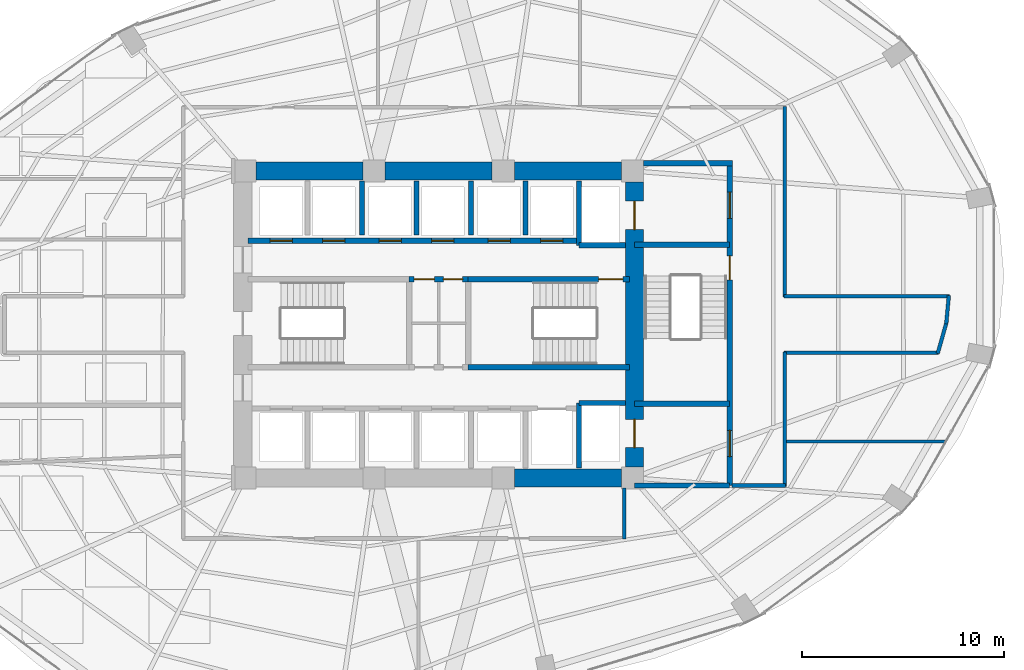
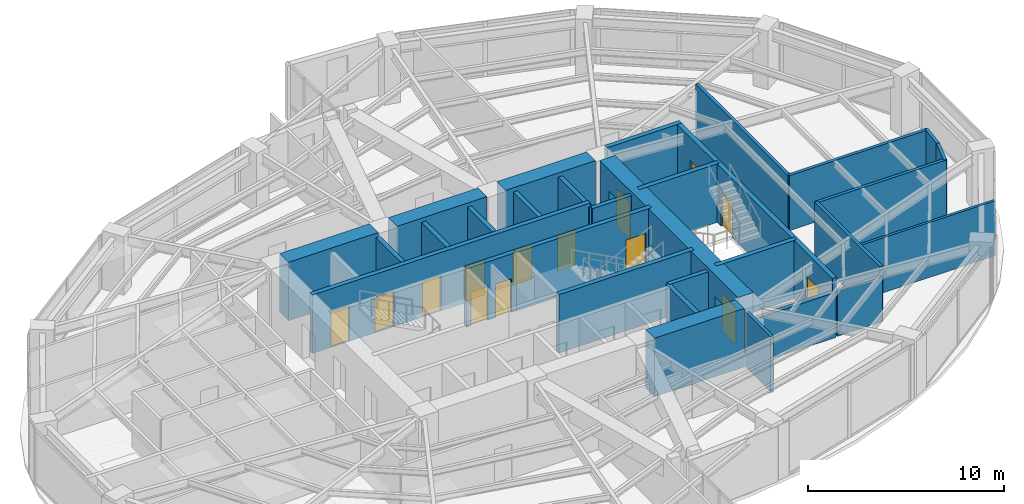
# One storey, part 22 of 25: 31 walls, 14 doors, 14 openings.
"""IFC4 building model written with IfcOpenShell, lengths in metres."""

from ifc_helpers import new_model, si_unit, direction, frame, frame_2d, origin, place, context, subcontext, project, spatial, rectangle, extrude, material, layer, layer_set, type_object, element, fill, save


model = new_model("IFC4")

# Units and contexts
model_context = context("Model", 3, precision=1e-05, world=origin(), true_north=direction((0.0, 1.0)))
body_context = subcontext(model_context, "Body", "Model", "MODEL_VIEW")
ifc_project = project(units=[si_unit("LENGTHUNIT", "METRE"), si_unit("AREAUNIT", "SQUARE_METRE"), si_unit("VOLUMEUNIT", "CUBIC_METRE"), si_unit("PLANEANGLEUNIT", "RADIAN"), si_unit("MASSUNIT", "GRAM", prefix="KILO")], contexts=[model_context])

# Site, building, storey
site_placement = place(None, origin())
site = spatial("IfcSite", under=ifc_project, at=site_placement, CompositionType="ELEMENT")
building_placement = place(site_placement, origin())
building = spatial("IfcBuilding", under=site, at=building_placement, Name="Lazwardi Medical Tower", CompositionType="ELEMENT")
storey_placement = place(building_placement, frame((0.0, 0.0, 43.43994140625)))
storey = spatial("IfcBuildingStorey", under=building, at=storey_placement, Name="L10", CompositionType="ELEMENT", Elevation=43.43994140625)

# Walls
ifc_material_1 = material(Name="Fire-rated gypsum board on steel stud", Category="steel")
ifc_layer_1 = layer(ifc_material_1, 0.179931640625)
ifc_layer_set_1 = layer_set([ifc_layer_1], Name="Fire-rated gypsum board on steel stud")
wall_type_1 = type_object("IfcWallType", Name="WL-COR-180", PredefinedType="PARTITIONING", material=ifc_layer_set_1)
wall_1_placement = place(storey_placement, frame((53.14990234375, 38.7900390625, 0.0), z_axis=(0.0, 0.0, 1.0), x_axis=(0.0, -1.0, 0.0)))
element("IfcWall", 1, at=wall_1_placement, inside=storey, type_object=wall_type_1, Name="L10 Corridor partition 5", PredefinedType="PARTITIONING", context=body_context, shape_type="SweptSolid", body=[
    extrude(rectangle(XDim=9.429931640625, YDim=0.179931640625, at=frame_2d((4.71484375, 0.0))), origin(), (0.0, 0.0, 1.0), 3.427978515625),
])
wall_2_placement = place(storey_placement, frame((53.110107421875, 29.39990234375, 0.0), z_axis=(0.0, 0.0, 1.0), x_axis=(1.0, 0.0, 0.0)))
element("IfcWall", 2, at=wall_2_placement, inside=storey, type_object=wall_type_1, Name="L10 Corridor partition 6", PredefinedType="PARTITIONING", context=body_context, shape_type="SweptSolid", body=[
    extrude(rectangle(XDim=8.19677734375, YDim=0.179931640625, at=frame_2d((4.098388671875, 0.0))), origin(), (0.0, 0.0, 1.0), 3.427978515625),
])
wall_3_placement = place(storey_placement, frame((61.2705078125, 29.439697265625, 0.0), z_axis=(0.0, 0.0, 1.0), x_axis=(-0.092539930621, -0.995708974169, 0.0)))
element("IfcWall", 3, at=wall_3_placement, inside=storey, type_object=wall_type_1, Name="L10 Corridor partition 7", PredefinedType="PARTITIONING", context=body_context, shape_type="SweptSolid", body=[
    extrude(rectangle(XDim=1.416748046875, YDim=0.179931640625, at=frame_2d((0.70849609375, 0.0))), origin(), (0.0, 0.0, 1.0), 3.427978515625),
])
wall_4_placement = place(storey_placement, frame((61.15380859375, 28.107421875, 0.0), z_axis=(0.0, 0.0, 1.0), x_axis=(-0.271748942561, -0.962368179138, 0.0)))
element("IfcWall", 4, at=wall_4_placement, inside=storey, type_object=wall_type_1, Name="L10 Corridor partition 8", PredefinedType="PARTITIONING", context=body_context, shape_type="SweptSolid", body=[
    extrude(rectangle(XDim=1.6064453125, YDim=0.179931640625, at=frame_2d((0.80322265625, 0.0))), origin(), (0.0, 0.0, 1.0), 3.427978515625),
])
wall_5_placement = place(storey_placement, frame((60.768310546875, 26.60009765625, 0.0), z_axis=(0.0, 0.0, 1.0), x_axis=(-1.0, 0.0, 0.0)))
element("IfcWall", 5, at=wall_5_placement, inside=storey, type_object=wall_type_1, Name="L10 Corridor partition 9", PredefinedType="PARTITIONING", context=body_context, shape_type="SweptSolid", body=[
    extrude(rectangle(XDim=7.658203125, YDim=0.179931640625, at=frame_2d((3.8291015625, 0.0))), origin(), (0.0, 0.0, 1.0), 3.427978515625),
])
wall_6_placement = place(storey_placement, frame((53.14990234375, 26.639892578125, 0.0), z_axis=(0.0, 0.0, 1.0), x_axis=(0.0, -1.0, 0.0)))
element("IfcWall", 6, at=wall_6_placement, inside=storey, type_object=wall_type_1, Name="L10 Corridor partition 10", PredefinedType="PARTITIONING", context=body_context, shape_type="SweptSolid", body=[
    extrude(rectangle(XDim=6.659912109375, YDim=0.179931640625, at=frame_2d((3.330078125, 0.0))), origin(), (0.0, 0.0, 1.0), 3.427978515625),
])
wall_7_placement = place(storey_placement, frame((53.18994140625, 20.02001953125, 0.0), z_axis=(0.0, 0.0, 1.0), x_axis=(-1.0, 0.0, 0.0)))
element("IfcWall", 7, at=wall_7_placement, inside=storey, type_object=wall_type_1, Name="L10 Corridor partition 11", PredefinedType="PARTITIONING", context=body_context, shape_type="SweptSolid", body=[
    extrude(rectangle(XDim=2.64990234375, YDim=0.179931640625, at=frame_2d((1.324951171875, 0.0))), origin(), (0.0, 0.0, 1.0), 2.81298828125),
])
wall_8_placement = place(storey_placement, frame((45.199951171875, 19.909912109375, 0.0), z_axis=(0.0, 0.0, 1.0), x_axis=(0.0, -1.0, 0.0)))
element("IfcWall", 8, at=wall_8_placement, inside=storey, type_object=wall_type_1, Name="L10 Corridor partition 14", PredefinedType="PARTITIONING", context=body_context, shape_type="SweptSolid", body=[
    extrude(rectangle(XDim=2.5498046875, YDim=0.179931640625, at=frame_2d((1.27490234375, 0.0))), origin(), (0.0, 0.0, 1.0), 3.427978515625),
])

# Wall, openings, doors
ifc_material_2 = material(Name="Concrete C80/95", Category="concrete")
ifc_layer_2 = layer(ifc_material_2, 0.89990234375)
ifc_layer_set_2 = layer_set([ifc_layer_2], Name="Concrete C80/95")
wall_type_2 = type_object("IfcWallType", Name="WL-CORE-900", PredefinedType="SHEAR", material=ifc_layer_set_2)
wall_9_placement = place(storey_placement, frame((45.699951171875, 20.949951171875, 0.0), z_axis=(0.0, 0.0, 1.0), x_axis=(0.0, 1.0, 0.0)))
wall_9 = element("IfcWall", 9, at=wall_9_placement, inside=storey, type_object=wall_type_2, Name="Core wall CW-S1 east L10", PredefinedType="SHEAR", context=body_context, shape_type="SweptSolid", body=[
    extrude(rectangle(XDim=14.10009765625, YDim=0.89990234375, at=frame_2d((7.050048828125, 0.0))), origin(), (0.0, 0.0, 1.0), 3.64794921875),
])
opening_1_placement = place(wall_9_placement, frame((11.75, 0.0, 0.0)))
opening_1 = element("IfcOpeningElement", 10, at=opening_1_placement, cuts=wall_9, Name="Opening LD-L10-001", PredefinedType="OPENING", context=body_context, shape_type="SweptSolid", body=[
    extrude(rectangle(XDim=1.39990234375, YDim=2.300048828125, at=frame_2d((0.699951171875, 1.14990234375))), frame((0.0, 0.4599609375, 0.0), z_axis=(0.0, -1.0, 0.0), x_axis=(1.0, 0.0, 0.0)), (0.0, 0.0, 1.0), 0.919921875),
])
opening_2_placement = place(wall_9_placement, frame((0.949951171875, 0.0, 0.0)))
opening_2 = element("IfcOpeningElement", 11, at=opening_2_placement, cuts=wall_9, Name="Opening LD-L10-002", PredefinedType="OPENING", context=body_context, shape_type="SweptSolid", body=[
    extrude(rectangle(XDim=1.39990234375, YDim=2.300048828125, at=frame_2d((0.699951171875, 1.14990234375))), frame((0.0, 0.4599609375, 0.0), z_axis=(0.0, -1.0, 0.0), x_axis=(1.0, 0.0, 0.0)), (0.0, 0.0, 1.0), 0.919921875),
])
ifc_material_3 = material(Name="Brushed stainless steel bed-lift landing door", Category="steel")
door_type_1 = type_object("IfcDoorType", Name="DR-LFT-1400", OperationType="NOTDEFINED", PredefinedType="DOOR", material=ifc_material_3)
door_1_placement = place(opening_1_placement, origin())
door_1 = element("IfcDoor", 12, at=door_1_placement, inside=storey, type_object=door_type_1, Name="L10 Lift Landing Door FL-01", OperationType="SLIDING_TO_LEFT", OverallHeight=2.300048828125, OverallWidth=1.39990234375, PredefinedType="DOOR", context=body_context, shape_type="SweptSolid", body=[
    extrude(rectangle(XDim=1.39990234375, YDim=2.300048828125, at=frame_2d((0.699951171875, 1.14990234375))), frame((0.0, 0.02490234375, 0.0), z_axis=(0.0, -1.0, 0.0), x_axis=(1.0, 0.0, 0.0)), (0.0, 0.0, 1.0), 0.050048828125),
])
fill(opening_1, door_1)
door_2_placement = place(opening_2_placement, origin())
door_2 = element("IfcDoor", 13, at=door_2_placement, inside=storey, type_object=door_type_1, Name="L10 Lift Landing Door FL-02", OperationType="SLIDING_TO_LEFT", OverallHeight=2.300048828125, OverallWidth=1.39990234375, PredefinedType="DOOR", context=body_context, shape_type="SweptSolid", body=[
    extrude(rectangle(XDim=1.39990234375, YDim=2.300048828125, at=frame_2d((0.699951171875, 1.14990234375))), frame((0.0, 0.02490234375, 0.0), z_axis=(0.0, -1.0, 0.0), x_axis=(1.0, 0.0, 0.0)), (0.0, 0.0, 1.0), 0.050048828125),
])
fill(opening_2, door_2)

# Walls
wall_10_placement = place(storey_placement, frame((26.949951171875, 35.60009765625, 0.0), z_axis=(0.0, 0.0, 1.0), x_axis=(1.0, 0.0, 0.0)))
element("IfcWall", 14, at=wall_10_placement, inside=storey, type_object=wall_type_2, Name="Core wall CW-S1 N1 L10", PredefinedType="SHEAR", context=body_context, shape_type="SweptSolid", body=[
    extrude(rectangle(XDim=5.300048828125, YDim=0.89990234375, at=frame_2d((2.64990234375, 0.0))), origin(), (0.0, 0.0, 1.0), 3.64794921875),
])
wall_11_placement = place(storey_placement, frame((33.35009765625, 35.60009765625, 0.0), z_axis=(0.0, 0.0, 1.0), x_axis=(1.0, 0.0, 0.0)))
element("IfcWall", 15, at=wall_11_placement, inside=storey, type_object=wall_type_2, Name="Core wall CW-S1 N2 L10", PredefinedType="SHEAR", context=body_context, shape_type="SweptSolid", body=[
    extrude(rectangle(XDim=5.2998046875, YDim=0.89990234375, at=frame_2d((2.64990234375, 0.0))), origin(), (0.0, 0.0, 1.0), 3.64794921875),
])
for number, where, z_axis, x_axis, name in (
    (16, (39.75, 20.39990234375, 0.0), (0.0, 0.0, 1.0), (1.0, 0.0, 0.0), "Core wall CW-S1 S3 L10"),
    (17, (39.75, 35.60009765625, 0.0), (0.0, 0.0, 1.0), (1.0, 0.0, 0.0), "Core wall CW-S1 N3 L10"),
):
    element("IfcWall", number, at=place(storey_placement, frame(where, z_axis=z_axis, x_axis=x_axis)), inside=storey, type_object=wall_type_2, Name=name, PredefinedType="SHEAR", context=body_context, shape_type="SweptSolid", body=[
        extrude(rectangle(XDim=5.300048828125, YDim=0.89990234375, at=frame_2d((2.64990234375, 0.0))), origin(), (0.0, 0.0, 1.0), 3.64794921875),
    ])
ifc_material_4 = material(Name="Autoclaved aerated concrete blockwork", Category="masonry")
ifc_layer_3 = layer(ifc_material_4, 0.25)
ifc_layer_set_3 = layer_set([ifc_layer_3], Name="Autoclaved aerated concrete blockwork")
wall_type_3 = type_object("IfcWallType", Name="WL-SHAFT-250", PredefinedType="SOLIDWALL", material=ifc_layer_set_3)
wall_12_placement = place(storey_placement, frame((42.949951171875, 31.919921875, 0.0), z_axis=(0.0, 0.0, 1.0), x_axis=(0.0, 1.0, 0.0)))
element("IfcWall", 18, at=wall_12_placement, inside=storey, type_object=wall_type_3, Name="L10 FL-01 West shaft wall", PredefinedType="SOLIDWALL", context=body_context, shape_type="SweptSolid", body=[
    extrude(rectangle(XDim=3.18017578125, YDim=0.25, at=frame_2d((1.590087890625, 0.0))), origin(), (0.0, 0.0, 1.0), 3.427978515625),
])
wall_13_placement = place(storey_placement, frame((42.949951171875, 31.919921875, 0.0), z_axis=(0.0, 0.0, 1.0), x_axis=(1.0, 0.0, 0.0)))
element("IfcWall", 19, at=wall_13_placement, inside=storey, type_object=wall_type_3, Name="L10 FL-01 South shaft wall", PredefinedType="SOLIDWALL", context=body_context, shape_type="SweptSolid", body=[
    extrude(rectangle(XDim=2.300048828125, YDim=0.25, at=frame_2d((1.14990234375, 0.0))), origin(), (0.0, 0.0, 1.0), 3.427978515625),
])
wall_14_placement = place(storey_placement, frame((42.949951171875, 20.89990234375, 0.0), z_axis=(0.0, 0.0, 1.0), x_axis=(0.0, 1.0, 0.0)))
element("IfcWall", 20, at=wall_14_placement, inside=storey, type_object=wall_type_3, Name="L10 FL-02 West shaft wall", PredefinedType="SOLIDWALL", context=body_context, shape_type="SweptSolid", body=[
    extrude(rectangle(XDim=3.2001953125, YDim=0.25, at=frame_2d((1.60009765625, 0.0))), origin(), (0.0, 0.0, 1.0), 3.427978515625),
])
wall_15_placement = place(storey_placement, frame((42.949951171875, 24.10009765625, 0.0), z_axis=(0.0, 0.0, 1.0), x_axis=(1.0, 0.0, 0.0)))
element("IfcWall", 21, at=wall_15_placement, inside=storey, type_object=wall_type_3, Name="L10 FL-02 North shaft wall", PredefinedType="SOLIDWALL", context=body_context, shape_type="SweptSolid", body=[
    extrude(rectangle(XDim=2.300048828125, YDim=0.25, at=frame_2d((1.14990234375, 0.0))), origin(), (0.0, 0.0, 1.0), 3.427978515625),
])
for number, where, z_axis, x_axis, name in (
    (22, (32.199951171875, 32.419921875, 0.0), (0.0, 0.0, 1.0), (0.0, 1.0, 0.0), "L10 North hoistway divider"),
    (23, (34.89990234375, 32.419921875, 0.0), (0.0, 0.0, 1.0), (0.0, 1.0, 0.0), "L10 North hoistway divider"),
    (24, (37.60009765625, 32.419921875, 0.0), (0.0, 0.0, 1.0), (0.0, 1.0, 0.0), "L10 North hoistway divider"),
    (25, (40.300048828125, 32.419921875, 0.0), (0.0, 0.0, 1.0), (0.0, 1.0, 0.0), "L10 North hoistway divider"),
):
    element("IfcWall", number, at=place(storey_placement, frame(where, z_axis=z_axis, x_axis=x_axis)), inside=storey, type_object=wall_type_3, Name=name, PredefinedType="SOLIDWALL", context=body_context, shape_type="SweptSolid", body=[
        extrude(rectangle(XDim=2.68017578125, YDim=0.25, at=frame_2d((1.340087890625, 0.0))), origin(), (0.0, 0.0, 1.0), 3.427978515625),
    ])
wall_16_placement = place(storey_placement, frame((45.699951171875, 20.02001953125, 0.0), z_axis=(0.0, 0.0, 1.0), x_axis=(1.0, 0.0, 0.0)))
element("IfcWall", 26, at=wall_16_placement, inside=storey, type_object=wall_type_3, Name="L10 FFL-S South wall", PredefinedType="SOLIDWALL", context=body_context, shape_type="SweptSolid", body=[
    extrude(rectangle(XDim=4.715087890625, YDim=0.25, at=frame_2d((2.357421875, 0.0))), origin(), (0.0, 0.0, 1.0), 2.81298828125),
])

# Wall, openings, doors
ifc_material_5 = material(Name="Concrete C50/60", Category="concrete")
ifc_layer_4 = layer(ifc_material_5, 0.27001953125)
ifc_layer_set_4 = layer_set([ifc_layer_4], Name="Concrete C50/60")
wall_type_4 = type_object("IfcWallType", Name="WL-STR-250", PredefinedType="SHEAR", material=ifc_layer_set_4)
wall_17_placement = place(storey_placement, frame((34.534912109375, 30.235107421875, 0.0), z_axis=(0.0, 0.0, 1.0), x_axis=(1.0, 0.0, 0.0)))
wall_17 = element("IfcWall", 27, at=wall_17_placement, inside=storey, type_object=wall_type_4, Name="L10 Core service North shear wall SW-S1", PredefinedType="SHEAR", context=body_context, shape_type="SweptSolid", body=[
    extrude(rectangle(XDim=2.93017578125, YDim=0.27001953125, at=frame_2d((1.465087890625, 0.0))), origin(), (0.0, 0.0, 1.0), 3.64794921875),
])
opening_3_placement = place(wall_17_placement, frame((0.2548828125, 0.0, 0.0)))
opening_3 = element("IfcOpeningElement", 28, at=opening_3_placement, cuts=wall_17, Name="Opening D-L10-003", PredefinedType="OPENING", context=body_context, shape_type="SweptSolid", body=[
    extrude(rectangle(XDim=1.0, YDim=2.10009765625, at=frame_2d((0.5, 1.050048828125))), frame((0.0, 0.14501953125, 0.0), z_axis=(0.0, -1.0, 0.0), x_axis=(1.0, 0.0, 0.0)), (0.0, 0.0, 1.0), 0.2900390625),
])
opening_4_placement = place(wall_17_placement, frame((1.699951171875, 0.0, 0.0)))
opening_4 = element("IfcOpeningElement", 29, at=opening_4_placement, cuts=wall_17, Name="Opening D-L10-004", PredefinedType="OPENING", context=body_context, shape_type="SweptSolid", body=[
    extrude(rectangle(XDim=0.949951171875, YDim=2.10009765625, at=frame_2d((0.47509765625, 1.050048828125))), frame((0.0, 0.14501953125, 0.0), z_axis=(0.0, -1.0, 0.0), x_axis=(1.0, 0.0, 0.0)), (0.0, 0.0, 1.0), 0.2900390625),
])
ifc_material_6 = material(Name="Moisture-resistant laminate door leaf")
door_type_2 = type_object("IfcDoorType", Name="DR-AWC-1000", OperationType="NOTDEFINED", PredefinedType="DOOR", material=ifc_material_6)
door_3_placement = place(opening_3_placement, origin())
door_3 = element("IfcDoor", 30, at=door_3_placement, inside=storey, type_object=door_type_2, Name="L10 Accessible WC Door", OperationType="SINGLE_SWING_RIGHT", OverallHeight=2.10009765625, OverallWidth=1.0, PredefinedType="DOOR", context=body_context, shape_type="SweptSolid", body=[
    extrude(rectangle(XDim=1.0, YDim=2.10009765625, at=frame_2d((0.5, 1.050048828125))), frame((0.0, 0.02490234375, 0.0), z_axis=(0.0, -1.0, 0.0), x_axis=(1.0, 0.0, 0.0)), (0.0, 0.0, 1.0), 0.050048828125),
])
fill(opening_3, door_3)
door_type_3 = type_object("IfcDoorType", Name="DR-ENS-950", OperationType="NOTDEFINED", PredefinedType="DOOR", material=ifc_material_6)
door_4_placement = place(opening_4_placement, origin())
door_4 = element("IfcDoor", 31, at=door_4_placement, inside=storey, type_object=door_type_3, Name="L10 Clean Utility Door", OperationType="SINGLE_SWING_LEFT", OverallHeight=2.10009765625, OverallWidth=0.949951171875, PredefinedType="DOOR", context=body_context, shape_type="SweptSolid", body=[
    extrude(rectangle(XDim=0.949951171875, YDim=2.10009765625, at=frame_2d((0.47509765625, 1.050048828125))), frame((0.0, 0.02490234375, 0.0), z_axis=(0.0, -1.0, 0.0), x_axis=(1.0, 0.0, 0.0)), (0.0, 0.0, 1.0), 0.050048828125),
])
fill(opening_4, door_4)

# Wall, opening, door
wall_18_placement = place(storey_placement, frame((37.465087890625, 30.235107421875, 0.0), z_axis=(0.0, 0.0, 1.0), x_axis=(1.0, 0.0, 0.0)))
wall_18 = element("IfcWall", 32, at=wall_18_placement, inside=storey, type_object=wall_type_4, Name="L10 ST2 North shear shaft wall SW-S1", PredefinedType="SHEAR", context=body_context, shape_type="SweptSolid", body=[
    extrude(rectangle(XDim=7.98486328125, YDim=0.27001953125, at=frame_2d((3.992431640625, 0.0))), origin(), (0.0, 0.0, 1.0), 3.64794921875),
])
opening_5_placement = place(wall_18_placement, frame((6.455078125, 0.0, 0.0)))
opening_5 = element("IfcOpeningElement", 33, at=opening_5_placement, cuts=wall_18, Name="Opening D-L10-018", PredefinedType="OPENING", context=body_context, shape_type="SweptSolid", body=[
    extrude(rectangle(XDim=1.199951171875, YDim=2.14990234375, at=frame_2d((0.60009765625, 1.074951171875))), frame((0.0, 0.14501953125, 0.0), z_axis=(0.0, -1.0, 0.0), x_axis=(1.0, 0.0, 0.0)), (0.0, 0.0, 1.0), 0.2900390625),
])
ifc_material_7 = material(Name="Fire-rated steel leaf and frame", Category="steel")
door_type_4 = type_object("IfcDoorType", Name="DR-STR-1200", OperationType="NOTDEFINED", PredefinedType="DOOR", material=ifc_material_7)
door_5_placement = place(opening_5_placement, origin())
door_5 = element("IfcDoor", 34, at=door_5_placement, inside=storey, type_object=door_type_4, Name="L10 Exit Stair ST2 Door", OperationType="SINGLE_SWING_LEFT", OverallHeight=2.14990234375, OverallWidth=1.199951171875, PredefinedType="DOOR", context=body_context, shape_type="SweptSolid", body=[
    extrude(rectangle(XDim=1.199951171875, YDim=2.14990234375, at=frame_2d((0.60009765625, 1.074951171875))), frame((0.0, 0.02490234375, 0.0), z_axis=(0.0, -1.0, 0.0), x_axis=(1.0, 0.0, 0.0)), (0.0, 0.0, 1.0), 0.050048828125),
])
fill(opening_5, door_5)

# Wall
wall_19_placement = place(storey_placement, frame((37.465087890625, 25.885009765625, 0.0), z_axis=(0.0, 0.0, 1.0), x_axis=(1.0, 0.0, 0.0)))
element("IfcWall", 35, at=wall_19_placement, inside=storey, type_object=wall_type_4, Name="L10 ST2 South shear shaft wall SW-S1", PredefinedType="SHEAR", context=body_context, shape_type="SweptSolid", body=[
    extrude(rectangle(XDim=7.98486328125, YDim=0.27001953125, at=frame_2d((3.992431640625, 0.0))), origin(), (0.0, 0.0, 1.0), 3.64794921875),
])

# Wall, openings, doors
wall_20_placement = place(storey_placement, frame((26.550048828125, 32.14990234375, 0.0), z_axis=(0.0, 0.0, 1.0), x_axis=(1.0, 0.0, 0.0)))
wall_20 = element("IfcWall", 36, at=wall_20_placement, inside=storey, type_object=wall_type_4, Name="L10 North lift bank shear wall SW-S1", PredefinedType="SHEAR", context=body_context, shape_type="SweptSolid", body=[
    extrude(rectangle(XDim=16.39990234375, YDim=0.27001953125, at=frame_2d((8.199951171875, 0.0))), origin(), (0.0, 0.0, 1.0), 3.64794921875),
])
opening_6_placement = place(wall_20_placement, frame((1.10009765625, 0.0, 0.0)))
opening_6 = element("IfcOpeningElement", 37, at=opening_6_placement, cuts=wall_20, Name="Opening LD-L10-004", PredefinedType="OPENING", context=body_context, shape_type="SweptSolid", body=[
    extrude(rectangle(XDim=1.10009765625, YDim=2.199951171875, at=frame_2d((0.550048828125, 1.10009765625))), frame((0.0, 0.14501953125, 0.0), z_axis=(0.0, -1.0, 0.0), x_axis=(1.0, 0.0, 0.0)), (0.0, 0.0, 1.0), 0.2900390625),
])
opening_7_placement = place(wall_20_placement, frame((3.699951171875, 0.0, 0.0)))
opening_7 = element("IfcOpeningElement", 38, at=opening_7_placement, cuts=wall_20, Name="Opening LD-L10-005", PredefinedType="OPENING", context=body_context, shape_type="SweptSolid", body=[
    extrude(rectangle(XDim=1.10009765625, YDim=2.199951171875, at=frame_2d((0.550048828125, 1.10009765625))), frame((0.0, 0.14501953125, 0.0), z_axis=(0.0, -1.0, 0.0), x_axis=(1.0, 0.0, 0.0)), (0.0, 0.0, 1.0), 0.2900390625),
])
opening_8_placement = place(wall_20_placement, frame((6.5, 0.0, 0.0)))
opening_8 = element("IfcOpeningElement", 39, at=opening_8_placement, cuts=wall_20, Name="Opening LD-L10-008", PredefinedType="OPENING", context=body_context, shape_type="SweptSolid", body=[
    extrude(rectangle(XDim=1.10009765625, YDim=2.199951171875, at=frame_2d((0.550048828125, 1.10009765625))), frame((0.0, 0.14501953125, 0.0), z_axis=(0.0, -1.0, 0.0), x_axis=(1.0, 0.0, 0.0)), (0.0, 0.0, 1.0), 0.2900390625),
])
opening_9_placement = place(wall_20_placement, frame((9.10009765625, 0.0, 0.0)))
opening_9 = element("IfcOpeningElement", 40, at=opening_9_placement, cuts=wall_20, Name="Opening LD-L10-009", PredefinedType="OPENING", context=body_context, shape_type="SweptSolid", body=[
    extrude(rectangle(XDim=1.10009765625, YDim=2.199951171875, at=frame_2d((0.550048828125, 1.10009765625))), frame((0.0, 0.14501953125, 0.0), z_axis=(0.0, -1.0, 0.0), x_axis=(1.0, 0.0, 0.0)), (0.0, 0.0, 1.0), 0.2900390625),
])
opening_10_placement = place(wall_20_placement, frame((11.89990234375, 0.0, 0.0)))
opening_10 = element("IfcOpeningElement", 41, at=opening_10_placement, cuts=wall_20, Name="Opening LD-L10-012", PredefinedType="OPENING", context=body_context, shape_type="SweptSolid", body=[
    extrude(rectangle(XDim=1.10009765625, YDim=2.199951171875, at=frame_2d((0.550048828125, 1.10009765625))), frame((0.0, 0.14501953125, 0.0), z_axis=(0.0, -1.0, 0.0), x_axis=(1.0, 0.0, 0.0)), (0.0, 0.0, 1.0), 0.2900390625),
])
opening_11_placement = place(wall_20_placement, frame((14.5, 0.0, 0.0)))
opening_11 = element("IfcOpeningElement", 42, at=opening_11_placement, cuts=wall_20, Name="Opening LD-L10-013", PredefinedType="OPENING", context=body_context, shape_type="SweptSolid", body=[
    extrude(rectangle(XDim=1.10009765625, YDim=2.199951171875, at=frame_2d((0.550048828125, 1.10009765625))), frame((0.0, 0.14501953125, 0.0), z_axis=(0.0, -1.0, 0.0), x_axis=(1.0, 0.0, 0.0)), (0.0, 0.0, 1.0), 0.2900390625),
])
ifc_material_8 = material(Name="Brushed bronze stainless steel landing door", Category="steel")
door_type_5 = type_object("IfcDoorType", Name="DR-LFT-1100", OperationType="NOTDEFINED", PredefinedType="DOOR", material=ifc_material_8)
door_6_placement = place(opening_6_placement, origin())
door_6 = element("IfcDoor", 43, at=door_6_placement, inside=storey, type_object=door_type_5, Name="L10 Lift Landing Door PL-01", OperationType="SLIDING_TO_LEFT", OverallHeight=2.199951171875, OverallWidth=1.10009765625, PredefinedType="DOOR", context=body_context, shape_type="SweptSolid", body=[
    extrude(rectangle(XDim=1.10009765625, YDim=2.199951171875, at=frame_2d((0.550048828125, 1.10009765625))), frame((0.0, 0.02490234375, 0.0), z_axis=(0.0, -1.0, 0.0), x_axis=(1.0, 0.0, 0.0)), (0.0, 0.0, 1.0), 0.050048828125),
])
fill(opening_6, door_6)
door_7_placement = place(opening_7_placement, origin())
door_7 = element("IfcDoor", 44, at=door_7_placement, inside=storey, type_object=door_type_5, Name="L10 Lift Landing Door PL-02", OperationType="SLIDING_TO_LEFT", OverallHeight=2.199951171875, OverallWidth=1.10009765625, PredefinedType="DOOR", context=body_context, shape_type="SweptSolid", body=[
    extrude(rectangle(XDim=1.10009765625, YDim=2.199951171875, at=frame_2d((0.550048828125, 1.10009765625))), frame((0.0, 0.02490234375, 0.0), z_axis=(0.0, -1.0, 0.0), x_axis=(1.0, 0.0, 0.0)), (0.0, 0.0, 1.0), 0.050048828125),
])
fill(opening_7, door_7)
door_8_placement = place(opening_8_placement, origin())
door_8 = element("IfcDoor", 45, at=door_8_placement, inside=storey, type_object=door_type_5, Name="L10 Lift Landing Door PL-05", OperationType="SLIDING_TO_LEFT", OverallHeight=2.199951171875, OverallWidth=1.10009765625, PredefinedType="DOOR", context=body_context, shape_type="SweptSolid", body=[
    extrude(rectangle(XDim=1.10009765625, YDim=2.199951171875, at=frame_2d((0.550048828125, 1.10009765625))), frame((0.0, 0.02490234375, 0.0), z_axis=(0.0, -1.0, 0.0), x_axis=(1.0, 0.0, 0.0)), (0.0, 0.0, 1.0), 0.050048828125),
])
fill(opening_8, door_8)
door_9_placement = place(opening_9_placement, origin())
door_9 = element("IfcDoor", 46, at=door_9_placement, inside=storey, type_object=door_type_5, Name="L10 Lift Landing Door PL-06", OperationType="SLIDING_TO_LEFT", OverallHeight=2.199951171875, OverallWidth=1.10009765625, PredefinedType="DOOR", context=body_context, shape_type="SweptSolid", body=[
    extrude(rectangle(XDim=1.10009765625, YDim=2.199951171875, at=frame_2d((0.550048828125, 1.10009765625))), frame((0.0, 0.02490234375, 0.0), z_axis=(0.0, -1.0, 0.0), x_axis=(1.0, 0.0, 0.0)), (0.0, 0.0, 1.0), 0.050048828125),
])
fill(opening_9, door_9)
door_10_placement = place(opening_10_placement, origin())
door_10 = element("IfcDoor", 47, at=door_10_placement, inside=storey, type_object=door_type_5, Name="L10 Lift Landing Door PL-09", OperationType="SLIDING_TO_LEFT", OverallHeight=2.199951171875, OverallWidth=1.10009765625, PredefinedType="DOOR", context=body_context, shape_type="SweptSolid", body=[
    extrude(rectangle(XDim=1.10009765625, YDim=2.199951171875, at=frame_2d((0.550048828125, 1.10009765625))), frame((0.0, 0.02490234375, 0.0), z_axis=(0.0, -1.0, 0.0), x_axis=(1.0, 0.0, 0.0)), (0.0, 0.0, 1.0), 0.050048828125),
])
fill(opening_10, door_10)
door_11_placement = place(opening_11_placement, origin())
door_11 = element("IfcDoor", 48, at=door_11_placement, inside=storey, type_object=door_type_5, Name="L10 Lift Landing Door PL-10", OperationType="SLIDING_TO_LEFT", OverallHeight=2.199951171875, OverallWidth=1.10009765625, PredefinedType="DOOR", context=body_context, shape_type="SweptSolid", body=[
    extrude(rectangle(XDim=1.10009765625, YDim=2.199951171875, at=frame_2d((0.550048828125, 1.10009765625))), frame((0.0, 0.02490234375, 0.0), z_axis=(0.0, -1.0, 0.0), x_axis=(1.0, 0.0, 0.0)), (0.0, 0.0, 1.0), 0.050048828125),
])
fill(opening_11, door_11)

wall_21_placement = place(storey_placement, frame((50.4150390625, 35.844970703125, 0.0), z_axis=(0.0, 0.0, 1.0), x_axis=(0.0, -1.0, 0.0)))
wall_21 = element("IfcWall", 49, at=wall_21_placement, inside=storey, type_object=wall_type_4, Name="L10 East ST3 & FFL shear wall SW-S1", PredefinedType="SHEAR", context=body_context, shape_type="SweptSolid", body=[
    extrude(rectangle(XDim=15.824951171875, YDim=0.27001953125, at=frame_2d((7.91259765625, 0.0))), origin(), (0.0, 0.0, 1.0), 3.64794921875),
])
opening_12_placement = place(wall_21_placement, frame((4.445068359375, 0.0, 0.0)))
opening_12 = element("IfcOpeningElement", 50, at=opening_12_placement, cuts=wall_21, Name="Opening D-L10-019", PredefinedType="OPENING", context=body_context, shape_type="SweptSolid", body=[
    extrude(rectangle(XDim=1.199951171875, YDim=2.14990234375, at=frame_2d((0.60009765625, 1.074951171875))), frame((0.0, 0.14501953125, 0.0), z_axis=(0.0, -1.0, 0.0), x_axis=(1.0, 0.0, 0.0)), (0.0, 0.0, 1.0), 0.2900390625),
])
opening_13_placement = place(wall_21_placement, frame((1.294921875, 0.0, 0.0)))
opening_13 = element("IfcOpeningElement", 51, at=opening_13_placement, cuts=wall_21, Name="Opening D-L10-005", PredefinedType="OPENING", context=body_context, shape_type="SweptSolid", body=[
    extrude(rectangle(XDim=1.300048828125, YDim=2.199951171875, at=frame_2d((0.64990234375, 1.10009765625))), frame((0.0, 0.14501953125, 0.0), z_axis=(0.0, -1.0, 0.0), x_axis=(1.0, 0.0, 0.0)), (0.0, 0.0, 1.0), 0.2900390625),
])
opening_14_placement = place(wall_21_placement, frame((13.094970703125, 0.0, 0.0)))
opening_14 = element("IfcOpeningElement", 52, at=opening_14_placement, cuts=wall_21, Name="Opening D-L10-006", PredefinedType="OPENING", context=body_context, shape_type="SweptSolid", body=[
    extrude(rectangle(XDim=1.300048828125, YDim=2.199951171875, at=frame_2d((0.64990234375, 1.10009765625))), frame((0.0, 0.14501953125, 0.0), z_axis=(0.0, -1.0, 0.0), x_axis=(1.0, 0.0, 0.0)), (0.0, 0.0, 1.0), 0.2900390625),
])
door_type_6 = type_object("IfcDoorType", Name="DR-FFL-1300", OperationType="NOTDEFINED", PredefinedType="DOOR", material=ifc_material_7)
door_12_placement = place(opening_13_placement, origin())
door_12 = element("IfcDoor", 53, at=door_12_placement, inside=storey, type_object=door_type_6, Name="L10 Fire-Fighting Lobby North Door", OperationType="SINGLE_SWING_LEFT", OverallHeight=2.199951171875, OverallWidth=1.300048828125, PredefinedType="DOOR", context=body_context, shape_type="SweptSolid", body=[
    extrude(rectangle(XDim=1.300048828125, YDim=2.199951171875, at=frame_2d((0.64990234375, 1.10009765625))), frame((0.0, 0.02490234375, 0.0), z_axis=(0.0, -1.0, 0.0), x_axis=(1.0, 0.0, 0.0)), (0.0, 0.0, 1.0), 0.050048828125),
])
fill(opening_13, door_12)
door_13_placement = place(opening_14_placement, origin())
door_13 = element("IfcDoor", 54, at=door_13_placement, inside=storey, type_object=door_type_6, Name="L10 Fire-Fighting Lobby South Door", OperationType="SINGLE_SWING_RIGHT", OverallHeight=2.199951171875, OverallWidth=1.300048828125, PredefinedType="DOOR", context=body_context, shape_type="SweptSolid", body=[
    extrude(rectangle(XDim=1.300048828125, YDim=2.199951171875, at=frame_2d((0.64990234375, 1.10009765625))), frame((0.0, 0.02490234375, 0.0), z_axis=(0.0, -1.0, 0.0), x_axis=(1.0, 0.0, 0.0)), (0.0, 0.0, 1.0), 0.050048828125),
])
fill(opening_14, door_13)
door_14_placement = place(opening_12_placement, origin())
door_14 = element("IfcDoor", 55, at=door_14_placement, inside=storey, type_object=door_type_4, Name="L10 Exit Stair ST3 Door", OperationType="SINGLE_SWING_RIGHT", OverallHeight=2.14990234375, OverallWidth=1.199951171875, PredefinedType="DOOR", context=body_context, shape_type="SweptSolid", body=[
    extrude(rectangle(XDim=1.199951171875, YDim=2.14990234375, at=frame_2d((0.60009765625, 1.074951171875))), frame((0.0, 0.02490234375, 0.0), z_axis=(0.0, -1.0, 0.0), x_axis=(1.0, 0.0, 0.0)), (0.0, 0.0, 1.0), 0.050048828125),
])
fill(opening_12, door_14)

# Walls
wall_22_placement = place(storey_placement, frame((46.14990234375, 35.97998046875, 0.0), z_axis=(0.0, 0.0, 1.0), x_axis=(1.0, 0.0, 0.0)))
element("IfcWall", 56, at=wall_22_placement, inside=storey, type_object=wall_type_4, Name="L10 FFL-N North shear wall SW-S1", PredefinedType="SHEAR", context=body_context, shape_type="SweptSolid", body=[
    extrude(rectangle(XDim=4.400146484375, YDim=0.27001953125, at=frame_2d((2.2001953125, 0.0))), origin(), (0.0, 0.0, 1.0), 3.64794921875),
])
for number, where, z_axis, x_axis, name in (
    (57, (45.699951171875, 31.93505859375, 0.0), (0.0, 0.0, 1.0), (1.0, 0.0, 0.0), "L10 ST3 North shear shaft wall SW-S1"),
    (58, (45.699951171875, 24.06494140625, 0.0), (0.0, 0.0, 1.0), (1.0, 0.0, 0.0), "L10 ST3 South shear shaft wall SW-S1"),
):
    element("IfcWall", number, at=place(storey_placement, frame(where, z_axis=z_axis, x_axis=x_axis)), inside=storey, type_object=wall_type_4, Name=name, PredefinedType="SHEAR", context=body_context, shape_type="SweptSolid", body=[
        extrude(rectangle(XDim=4.715087890625, YDim=0.27001953125, at=frame_2d((2.357421875, 0.0))), origin(), (0.0, 0.0, 1.0), 3.64794921875),
    ])
ifc_material_9 = material(Name="Acoustic gypsum board partition")
ifc_layer_5 = layer(ifc_material_9, 0.14990234375)
ifc_layer_set_5 = layer_set([ifc_layer_5], Name="Acoustic gypsum board partition")
wall_type_5 = type_object("IfcWallType", Name="WL-WRD-150", PredefinedType="PARTITIONING", material=ifc_layer_set_5)
wall_23_placement = place(storey_placement, frame((53.239990234375, 22.199951171875, 0.0), z_axis=(0.0, 0.0, 1.0), x_axis=(1.0, 0.0, 0.0)))
element("IfcWall", 59, at=wall_23_placement, inside=storey, type_object=wall_type_5, Name="L10 Room partition 5", PredefinedType="PARTITIONING", context=body_context, shape_type="SweptSolid", body=[
    extrude(rectangle(XDim=7.87548828125, YDim=0.14990234375, at=frame_2d((3.937744140625, 0.0))), origin(), (0.0, 0.0, 1.0), 3.427978515625),
])

save(model, "model.ifc")
